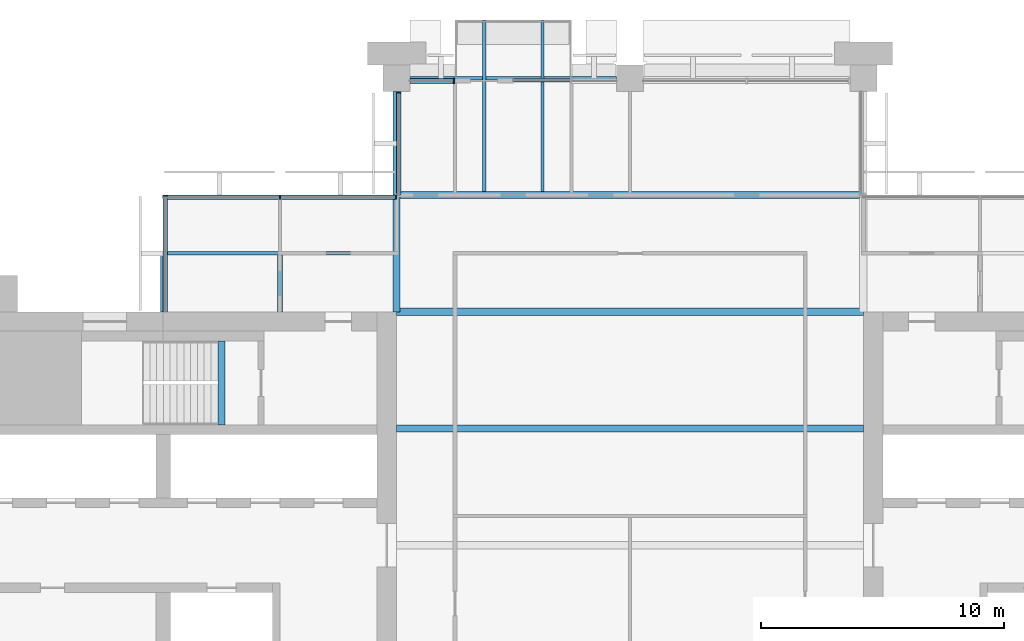
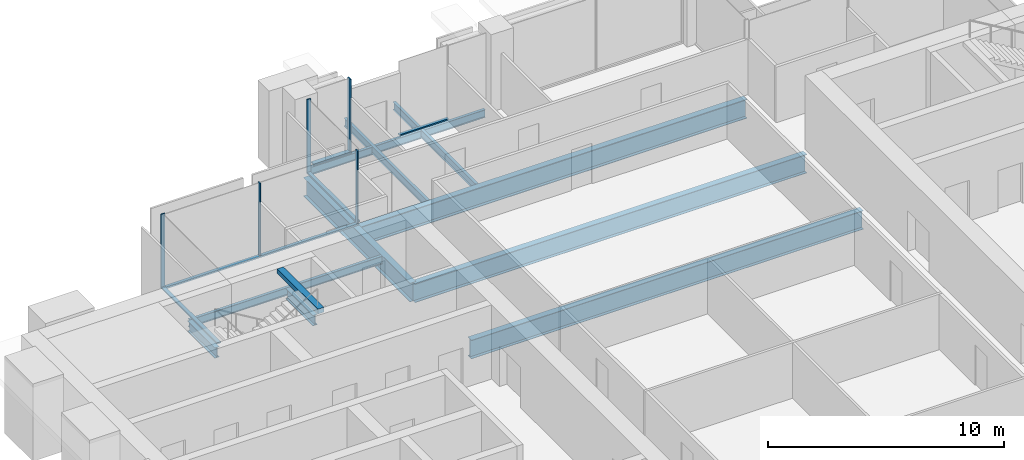
# One storey, part 5 of 14: 13 beams, 10 members, 5 elements without a shape of their own.
"""IFC4 building model written with IfcOpenShell, lengths in metres."""

from ifc_helpers import new_model, si_unit, direction, frame, origin, origin_2d, place, context, subcontext, project, spatial, rectangle, i_section, extrude, material, material_profile, profile_set, type_object, element, aggregate, save


model = new_model("IFC4")

# Units and contexts
model_context = context("Model", 3, precision=1e-05, world=origin(), true_north=direction((0.0, 1.0)))
body_context = subcontext(model_context, "Body", "Model", "MODEL_VIEW")
ifc_project = project(units=[si_unit("LENGTHUNIT", "METRE"), si_unit("AREAUNIT", "SQUARE_METRE"), si_unit("VOLUMEUNIT", "CUBIC_METRE"), si_unit("PLANEANGLEUNIT", "RADIAN"), si_unit("MASSUNIT", "GRAM", prefix="KILO")], contexts=[model_context])

# Site, building, storey
site_placement = place(None, origin())
site = spatial("IfcSite", under=ifc_project, at=site_placement, CompositionType="ELEMENT")
building_placement = place(site_placement, origin())
building = spatial("IfcBuilding", under=site, at=building_placement, Name="Baori Bourse Tower", CompositionType="ELEMENT")
storey_placement = place(building_placement, frame((0.0, 0.0, 233.199951171875)))
storey = spatial("IfcBuildingStorey", under=building, at=storey_placement, Name="L51", CompositionType="ELEMENT", Elevation=233.199951171875)

# Beams
ifc_material_1 = material(Name="Steel A992 Gr 50", Category="steel")
ifc_material_profile_1 = material_profile(ifc_material_1, i_section(OverallWidth=0.140380859375, OverallDepth=0.40380859375, WebThickness=0.007080078125, FlangeThickness=0.01123046875, at=origin_2d()), Name="W16x31")
ifc_profile_set_1 = profile_set([ifc_material_profile_1], Name="Steel A992 Gr 50")
beam_type_1 = type_object("IfcBeamType", Name="Balcony beam W16x31", PredefinedType="BEAM", material=ifc_profile_set_1)
for number, where, z_axis, x_axis, name in (
    (1, (22.800048828125, 50.39990234375, -0.36181640625), (0.0, -1.0, 0.0), (1.0, 0.0, 0.0), "Balcony beam L51"),
    (2, (25.199951171875, 50.39990234375, -0.36181640625), (0.0, -1.0, 0.0), (1.0, 0.0, 0.0), "Balcony beam L51"),
):
    element("IfcBeam", number, at=place(storey_placement, frame(where, z_axis=z_axis, x_axis=x_axis)), inside=storey, type_object=beam_type_1, Name=name, PredefinedType="BEAM", context=body_context, shape_type="SweptSolid", body=[
        extrude(i_section(OverallWidth=0.140380859375, OverallDepth=0.40380859375, WebThickness=0.007080078125, FlangeThickness=0.01123046875, at=origin_2d()), origin(), (0.0, 0.0, 1.0), 7.050048828125),
    ])

# Curtain wall, member
ifc_material_2 = material(Name="Pale anodised aluminium", Category="aluminium")
curtain_wall_type_1 = type_object("IfcCurtainWallType", Name="CW2 Curtain wall", PredefinedType="NOTDEFINED", material=ifc_material_2)
curtain_wall_1_placement = place(storey_placement, origin())
curtain_wall_1 = element("IfcCurtainWall", 3, at=curtain_wall_1_placement, inside=storey, type_object=curtain_wall_type_1, Name="Curtain wall CW2 L51 7", PredefinedType="NOTDEFINED")
ifc_material_3 = material(Name="Pale anodised aluminium", Category="aluminium")
ifc_material_profile_2 = material_profile(ifc_material_3, rectangle(XDim=0.179931640625, YDim=0.054931640625, at=origin_2d()), Name="Mullion 55x180")
ifc_profile_set_2 = profile_set([ifc_material_profile_2], Name="Pale anodised aluminium")
member_type_1 = type_object("IfcMemberType", Name="CW2 Curtain wall mullion", PredefinedType="MULLION", material=ifc_profile_set_2)
member_1_placement = place(storey_placement, frame((19.2900390625, 47.422607421875, 0.070068359375), z_axis=(0.0, 0.0, 1.0), x_axis=(1.0, 0.0, 0.0)))
member_1 = element("IfcMember", 4, at=member_1_placement, type_object=member_type_1, Name="Curtain wall CW2 mullion", PredefinedType="MULLION", context=body_context, shape_type="SweptSolid", body=[
    extrude(rectangle(XDim=0.179931640625, YDim=0.054931640625, at=origin_2d()), origin(), (0.0, 0.0, 1.0), 3.77001953125),
])

# Curtain wall, members
curtain_wall_2_placement = place(storey_placement, origin())
curtain_wall_2 = element("IfcCurtainWall", 5, at=curtain_wall_2_placement, inside=storey, type_object=curtain_wall_type_1, Name="Curtain wall CW2 L51 8", PredefinedType="NOTDEFINED")
member_2_placement = place(storey_placement, frame((19.172607421875, 43.110107421875, 0.070068359375), z_axis=(0.0, 0.0, 1.0), x_axis=(0.0, -1.0, 0.0)))
member_2 = element("IfcMember", 6, at=member_2_placement, type_object=member_type_1, Name="Curtain wall CW2 mullion", PredefinedType="MULLION", context=body_context, shape_type="SweptSolid", body=[
    extrude(rectangle(XDim=0.179931640625, YDim=0.054931640625, at=origin_2d()), origin(), (0.0, 0.0, 1.0), 3.77001953125),
])
member_3_placement = place(storey_placement, frame((14.39990234375, 43.110107421875, 0.070068359375), z_axis=(0.0, 0.0, 1.0), x_axis=(0.0, -1.0, 0.0)))
member_3 = element("IfcMember", 7, at=member_3_placement, type_object=member_type_1, Name="Curtain wall CW2 mullion", PredefinedType="MULLION", context=body_context, shape_type="SweptSolid", body=[
    extrude(rectangle(XDim=0.179931640625, YDim=0.054931640625, at=origin_2d()), origin(), (0.0, 0.0, 1.0), 3.77001953125),
])

# Curtain wall, member
curtain_wall_3_placement = place(storey_placement, origin())
curtain_wall_3 = element("IfcCurtainWall", 8, at=curtain_wall_3_placement, inside=storey, type_object=curtain_wall_type_1, Name="Curtain wall CW2 L51 9", PredefinedType="NOTDEFINED")
member_4_placement = place(storey_placement, frame((9.68994140625, 43.172607421875, 0.070068359375), z_axis=(0.0, 0.0, 1.0), x_axis=(1.0, 0.0, 0.0)))
member_4 = element("IfcMember", 9, at=member_4_placement, type_object=member_type_1, Name="Curtain wall CW2 mullion", PredefinedType="MULLION", context=body_context, shape_type="SweptSolid", body=[
    extrude(rectangle(XDim=0.179931640625, YDim=0.054931640625, at=origin_2d()), origin(), (0.0, 0.0, 1.0), 3.77001953125),
])

# Member
ifc_material_4 = material(Name="Pale anodised aluminium", Category="aluminium")
ifc_material_profile_3 = material_profile(ifc_material_4, rectangle(XDim=0.179931640625, YDim=0.070068359375, at=origin_2d()), Name="Transom 70x180")
ifc_profile_set_3 = profile_set([ifc_material_profile_3], Name="Pale anodised aluminium")
member_type_2 = type_object("IfcMemberType", Name="CW2 Curtain wall transom", PredefinedType="USERDEFINED", material=ifc_profile_set_3)
member_5_placement = place(storey_placement, frame((19.2900390625, 47.449951171875, 0.03515625), z_axis=(0.0, -1.0, 0.0), x_axis=(1.0, 0.0, 0.0)))
member_5 = element("IfcMember", 10, at=member_5_placement, type_object=member_type_2, Name="Curtain wall CW2 sill rail", ObjectType="TRANSOM", PredefinedType="USERDEFINED", context=body_context, shape_type="SweptSolid", body=[
    extrude(rectangle(XDim=0.179931640625, YDim=0.070068359375, at=origin_2d()), origin(), (0.0, 0.0, 1.0), 4.25),
])

aggregate(curtain_wall_1, [member_5, member_1])

member_6_placement = place(storey_placement, frame((19.199951171875, 43.110107421875, 0.03515625), z_axis=(-1.0, 0.0, 0.0), x_axis=(0.0, -1.0, 0.0)))
member_6 = element("IfcMember", 11, at=member_6_placement, type_object=member_type_2, Name="Curtain wall CW2 sill rail", ObjectType="TRANSOM", PredefinedType="USERDEFINED", context=body_context, shape_type="SweptSolid", body=[
    extrude(rectangle(XDim=0.179931640625, YDim=0.070068359375, at=origin_2d()), origin(), (0.0, 0.0, 1.0), 9.599853515625),
])

aggregate(curtain_wall_2, [member_6, member_2, member_3])

member_7_placement = place(storey_placement, frame((9.68994140625, 43.199951171875, 0.03515625), z_axis=(0.0, -1.0, 0.0), x_axis=(1.0, 0.0, 0.0)))
member_7 = element("IfcMember", 12, at=member_7_placement, type_object=member_type_2, Name="Curtain wall CW2 sill rail", ObjectType="TRANSOM", PredefinedType="USERDEFINED", context=body_context, shape_type="SweptSolid", body=[
    extrude(rectangle(XDim=0.179931640625, YDim=0.070068359375, at=origin_2d()), origin(), (0.0, 0.0, 1.0), 4.800048828125),
])

aggregate(curtain_wall_3, [member_7, member_4])

# Curtain wall, members
ifc_material_5 = material(Name="Pale anodised aluminium", Category="aluminium")
curtain_wall_type_2 = type_object("IfcCurtainWallType", Name="CW5 Curtain wall", PredefinedType="NOTDEFINED", material=ifc_material_5)
curtain_wall_4_placement = place(storey_placement, origin())
curtain_wall_4 = element("IfcCurtainWall", 13, at=curtain_wall_4_placement, inside=storey, type_object=curtain_wall_type_2, Name="Curtain wall CW5 L51 6", PredefinedType="NOTDEFINED")
ifc_material_6 = material(Name="Pale anodised aluminium", Category="aluminium")
ifc_material_profile_4 = material_profile(ifc_material_6, rectangle(XDim=0.219970703125, YDim=0.06494140625, at=origin_2d()), Name="Mullion 65x220")
ifc_profile_set_4 = profile_set([ifc_material_profile_4], Name="Pale anodised aluminium")
member_type_3 = type_object("IfcMemberType", Name="CW5 Curtain wall mullion", PredefinedType="MULLION", material=ifc_profile_set_4)
member_8_placement = place(storey_placement, frame((21.5673828125, 47.889892578125, 0.0849609375), z_axis=(0.0, 0.0, 1.0), x_axis=(0.0, -1.0, 0.0)))
member_8 = element("IfcMember", 14, at=member_8_placement, type_object=member_type_3, Name="Curtain wall CW5 mullion", PredefinedType="MULLION", context=body_context, shape_type="SweptSolid", body=[
    extrude(rectangle(XDim=0.219970703125, YDim=0.06494140625, at=origin_2d()), origin(), (0.0, 0.0, 1.0), 3.755126953125),
])
ifc_material_7 = material(Name="Pale anodised aluminium", Category="aluminium")
ifc_material_profile_5 = material_profile(ifc_material_7, rectangle(XDim=0.219970703125, YDim=0.0849609375, at=origin_2d()), Name="Transom 85x220")
ifc_profile_set_5 = profile_set([ifc_material_profile_5], Name="Pale anodised aluminium")
member_type_4 = type_object("IfcMemberType", Name="CW5 Curtain wall transom", PredefinedType="USERDEFINED", material=ifc_profile_set_5)
member_9_placement = place(storey_placement, frame((21.60009765625, 47.889892578125, 0.04248046875), z_axis=(-1.0, 0.0, 0.0), x_axis=(0.0, -1.0, 0.0)))
member_9 = element("IfcMember", 15, at=member_9_placement, type_object=member_type_4, Name="Curtain wall CW5 sill rail", ObjectType="TRANSOM", PredefinedType="USERDEFINED", context=body_context, shape_type="SweptSolid", body=[
    extrude(rectangle(XDim=0.219970703125, YDim=0.0849609375, at=origin_2d()), origin(), (0.0, 0.0, 1.0), 1.85009765625),
])
aggregate(curtain_wall_4, [member_9, member_8])

# Curtain wall, member
ifc_material_8 = material(Name="Pale anodised aluminium", Category="aluminium")
curtain_wall_type_3 = type_object("IfcCurtainWallType", Name="CW6 Curtain wall", PredefinedType="NOTDEFINED", material=ifc_material_8)
curtain_wall_5_placement = place(storey_placement, origin())
curtain_wall_5 = element("IfcCurtainWall", 16, at=curtain_wall_5_placement, inside=storey, type_object=curtain_wall_type_3, Name="Curtain wall CW6 L51 5", PredefinedType="NOTDEFINED")
ifc_material_9 = material(Name="Pale anodised aluminium", Category="aluminium")
ifc_material_profile_6 = material_profile(ifc_material_9, rectangle(XDim=0.14990234375, YDim=0.06494140625, at=origin_2d()), Name="Transom 65x150")
ifc_profile_set_6 = profile_set([ifc_material_profile_6], Name="Pale anodised aluminium")
member_type_5 = type_object("IfcMemberType", Name="CW6 Curtain wall transom", PredefinedType="USERDEFINED", material=ifc_profile_set_6)
member_10_placement = place(storey_placement, frame((26.39990234375, 47.925048828125, 0.032470703125), z_axis=(-1.0, 0.0, 0.0), x_axis=(0.0, -1.0, 0.0)))
member_10 = element("IfcMember", 17, at=member_10_placement, type_object=member_type_5, Name="Curtain wall CW6 sill rail", ObjectType="TRANSOM", PredefinedType="USERDEFINED", context=body_context, shape_type="SweptSolid", body=[
    extrude(rectangle(XDim=0.14990234375, YDim=0.06494140625, at=origin_2d()), origin(), (0.0, 0.0, 1.0), 2.39990234375),
])
aggregate(curtain_wall_5, [member_10])

# Beams
ifc_material_10 = material(Name="Steel A992 Gr 50", Category="steel")
ifc_material_profile_7 = material_profile(ifc_material_10, i_section(OverallWidth=0.21240234375, OverallDepth=0.54345703125, WebThickness=0.01318359375, FlangeThickness=0.021240234375, at=origin_2d()), Name="W21x83")
ifc_profile_set_7 = profile_set([ifc_material_profile_7], Name="Steel A992 Gr 50")
beam_type_2 = type_object("IfcBeamType", Name="Core bracket W21x83", PredefinedType="BEAM", material=ifc_profile_set_7)
for number, where, z_axis, x_axis, name in (
    (18, (9.60009765625, 38.39990234375, -0.431640625), (0.0, 1.0, 0.0), (-1.0, 0.0, 0.0), "Core bracket L51"),
    (19, (14.39990234375, 38.39990234375, -0.431640625), (0.0, 1.0, 0.0), (-1.0, 0.0, 0.0), "Core bracket L51"),
):
    element("IfcBeam", number, at=place(storey_placement, frame(where, z_axis=z_axis, x_axis=x_axis)), inside=storey, type_object=beam_type_2, Name=name, PredefinedType="BEAM", context=body_context, shape_type="SweptSolid", body=[
        extrude(i_section(OverallWidth=0.21240234375, OverallDepth=0.54345703125, WebThickness=0.01318359375, FlangeThickness=0.021240234375, at=origin_2d()), origin(), (0.0, 0.0, 1.0), 2.329833984375),
    ])
ifc_material_11 = material(Name="Steel A992 Gr 50", Category="steel")
ifc_material_profile_8 = material_profile(ifc_material_11, i_section(OverallWidth=0.140380859375, OverallDepth=0.40380859375, WebThickness=0.007080078125, FlangeThickness=0.01123046875, at=origin_2d()), Name="W16x31")
ifc_profile_set_8 = profile_set([ifc_material_profile_8], Name="Steel A992 Gr 50")
beam_type_3 = type_object("IfcBeamType", Name="Edge beam W16x31", PredefinedType="BEAM", material=ifc_profile_set_8)
beam_1_placement = place(storey_placement, frame((19.75, 48.0, -0.36181640625), z_axis=(1.0, 0.0, 0.0), x_axis=(0.0, 1.0, 0.0)))
element("IfcBeam", 20, at=beam_1_placement, inside=storey, type_object=beam_type_3, Name="Edge beam L51", PredefinedType="BEAM", context=body_context, shape_type="SweptSolid", body=[
    extrude(i_section(OverallWidth=0.140380859375, OverallDepth=0.40380859375, WebThickness=0.007080078125, FlangeThickness=0.01123046875, at=origin_2d()), origin(), (0.0, 0.0, 1.0), 2.979736328125),
])
beam_2_placement = place(storey_placement, frame((22.8701171875, 48.0, -0.36181640625), z_axis=(1.0, 0.0, 0.0), x_axis=(0.0, 1.0, 0.0)))
element("IfcBeam", 21, at=beam_2_placement, inside=storey, type_object=beam_type_3, Name="Edge beam L51", PredefinedType="BEAM", context=body_context, shape_type="SweptSolid", body=[
    extrude(i_section(OverallWidth=0.140380859375, OverallDepth=0.40380859375, WebThickness=0.007080078125, FlangeThickness=0.01123046875, at=origin_2d()), origin(), (0.0, 0.0, 1.0), 2.259765625),
])
beam_3_placement = place(storey_placement, frame((25.270263671875, 48.0, -0.36181640625), z_axis=(1.0, 0.0, 0.0), x_axis=(0.0, 1.0, 0.0)))
element("IfcBeam", 22, at=beam_3_placement, inside=storey, type_object=beam_type_3, Name="Edge beam L51", PredefinedType="BEAM", context=body_context, shape_type="SweptSolid", body=[
    extrude(i_section(OverallWidth=0.140380859375, OverallDepth=0.40380859375, WebThickness=0.007080078125, FlangeThickness=0.01123046875, at=origin_2d()), origin(), (0.0, 0.0, 1.0), 2.979736328125),
])
ifc_material_12 = material(Name="Steel A992 Gr 50", Category="steel")
ifc_material_profile_9 = material_profile(ifc_material_12, i_section(OverallWidth=0.2998046875, OverallDepth=0.97021484375, WebThickness=0.01611328125, FlangeThickness=0.02099609375, at=origin_2d()), Name="W40x149")
ifc_profile_set_9 = profile_set([ifc_material_profile_9], Name="Steel A992 Gr 50")
beam_type_4 = type_object("IfcBeamType", Name="Floor beam W40x149", PredefinedType="BEAM", material=ifc_profile_set_9)
for number, where, z_axis, x_axis, name in (
    (23, (19.199951171875, 33.60009765625, -0.64501953125), (1.0, 0.0, 0.0), (0.0, 1.0, 0.0), "Floor beam L51"),
    (24, (19.199951171875, 38.39990234375, -0.64501953125), (1.0, 0.0, 0.0), (0.0, 1.0, 0.0), "Floor beam L51"),
):
    element("IfcBeam", number, at=place(storey_placement, frame(where, z_axis=z_axis, x_axis=x_axis)), inside=storey, type_object=beam_type_4, Name=name, PredefinedType="BEAM", context=body_context, shape_type="SweptSolid", body=[
        extrude(i_section(OverallWidth=0.2998046875, OverallDepth=0.97021484375, WebThickness=0.01611328125, FlangeThickness=0.02099609375, at=origin_2d()), origin(), (0.0, 0.0, 1.0), 19.199951171875),
    ])
ifc_material_13 = material(Name="Steel A992 Gr 50", Category="steel")
ifc_material_profile_10 = material_profile(ifc_material_13, i_section(OverallWidth=0.2998046875, OverallDepth=0.990478515625, WebThickness=0.0166015625, FlangeThickness=0.030517578125, at=origin_2d()), Name="W40x183")
ifc_profile_set_10 = profile_set([ifc_material_profile_10], Name="Steel A992 Gr 50")
beam_type_5 = type_object("IfcBeamType", Name="Floor beam W40x183", PredefinedType="BEAM", material=ifc_profile_set_10)
beam_4_placement = place(storey_placement, frame((19.349853515625, 43.199951171875, -0.6552734375), z_axis=(1.0, 0.0, 0.0), x_axis=(0.0, 1.0, 0.0)))
element("IfcBeam", 25, at=beam_4_placement, inside=storey, type_object=beam_type_5, Name="Floor beam L51", PredefinedType="BEAM", context=body_context, shape_type="SweptSolid", body=[
    extrude(i_section(OverallWidth=0.2998046875, OverallDepth=0.990478515625, WebThickness=0.0166015625, FlangeThickness=0.030517578125, at=origin_2d()), origin(), (0.0, 0.0, 1.0), 18.897705078125),
])
ifc_material_14 = material(Name="Steel A992 Gr 50", Category="steel")
ifc_material_profile_11 = material_profile(ifc_material_14, i_section(OverallWidth=0.2998046875, OverallDepth=0.97021484375, WebThickness=0.01611328125, FlangeThickness=0.02099609375, at=origin_2d()), Name="W40x149")
ifc_profile_set_11 = profile_set([ifc_material_profile_11], Name="Steel A992 Gr 50")
beam_type_6 = type_object("IfcBeamType", Name="Girder W40x149", PredefinedType="BEAM", material=ifc_profile_set_11)
beam_5_placement = place(storey_placement, frame((19.199951171875, 38.39990234375, -0.64501953125), z_axis=(0.0, 1.0, 0.0), x_axis=(-1.0, 0.0, 0.0)))
element("IfcBeam", 26, at=beam_5_placement, inside=storey, type_object=beam_type_6, Name="Girder L51", PredefinedType="BEAM", context=body_context, shape_type="SweptSolid", body=[
    extrude(i_section(OverallWidth=0.2998046875, OverallDepth=0.97021484375, WebThickness=0.01611328125, FlangeThickness=0.02099609375, at=origin_2d()), origin(), (0.0, 0.0, 1.0), 9.050048828125),
])
ifc_material_15 = material(Name="Concrete f'c 50 MPa", Category="concrete")
ifc_material_profile_12 = material_profile(ifc_material_15, rectangle(XDim=0.300048828125, YDim=0.25, at=origin_2d()), Name="RC 300x250")
ifc_profile_set_12 = profile_set([ifc_material_profile_12], Name="Concrete f'c 50 MPa")
beam_type_7 = type_object("IfcBeamType", Name="Stair nib beam RC 300x250", PredefinedType="BEAM", material=ifc_profile_set_12)
beam_6_placement = place(storey_placement, frame((12.0, 33.75, 3.715087890625), z_axis=(0.0, 1.0, 0.0), x_axis=(-1.0, 0.0, 0.0)))
element("IfcBeam", 27, at=beam_6_placement, inside=storey, type_object=beam_type_7, Name="Stair WB nib beam L52", PredefinedType="BEAM", context=body_context, shape_type="SweptSolid", body=[
    extrude(rectangle(XDim=0.300048828125, YDim=0.25, at=origin_2d()), origin(), (0.0, 0.0, 1.0), 3.449951171875),
])
ifc_material_16 = material(Name="Steel A992 Gr 50", Category="steel")
ifc_material_profile_13 = material_profile(ifc_material_16, i_section(OverallWidth=0.140380859375, OverallDepth=0.40380859375, WebThickness=0.007080078125, FlangeThickness=0.01123046875, at=origin_2d()), Name="W16x31")
ifc_profile_set_13 = profile_set([ifc_material_profile_13], Name="Steel A992 Gr 50")
beam_type_8 = type_object("IfcBeamType", Name="Trimmer beam W16x31", PredefinedType="BEAM", material=ifc_profile_set_13)
beam_7_placement = place(storey_placement, frame((9.60009765625, 40.800048828125, -0.36181640625), z_axis=(1.0, 0.0, 0.0), x_axis=(0.0, 1.0, 0.0)))
element("IfcBeam", 28, at=beam_7_placement, inside=storey, type_object=beam_type_8, Name="Trimmer beam L51", PredefinedType="BEAM", context=body_context, shape_type="SweptSolid", body=[
    extrude(i_section(OverallWidth=0.140380859375, OverallDepth=0.40380859375, WebThickness=0.007080078125, FlangeThickness=0.01123046875, at=origin_2d()), origin(), (0.0, 0.0, 1.0), 9.449951171875),
])

save(model, "model.ifc")
